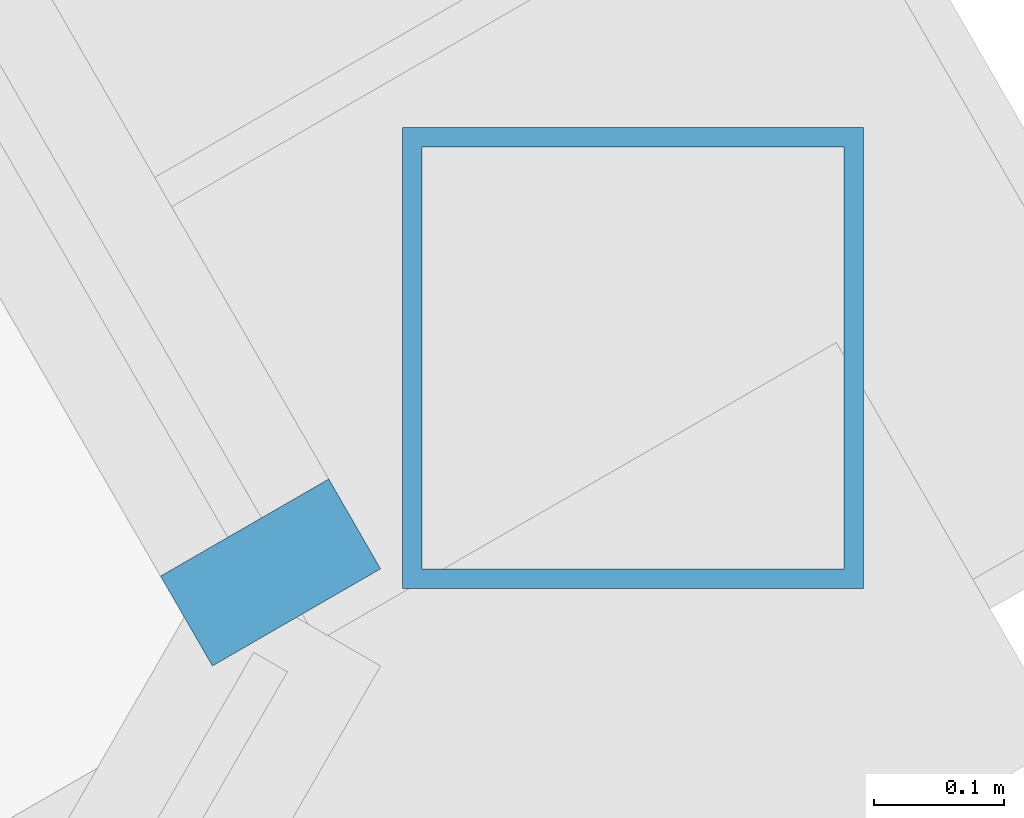
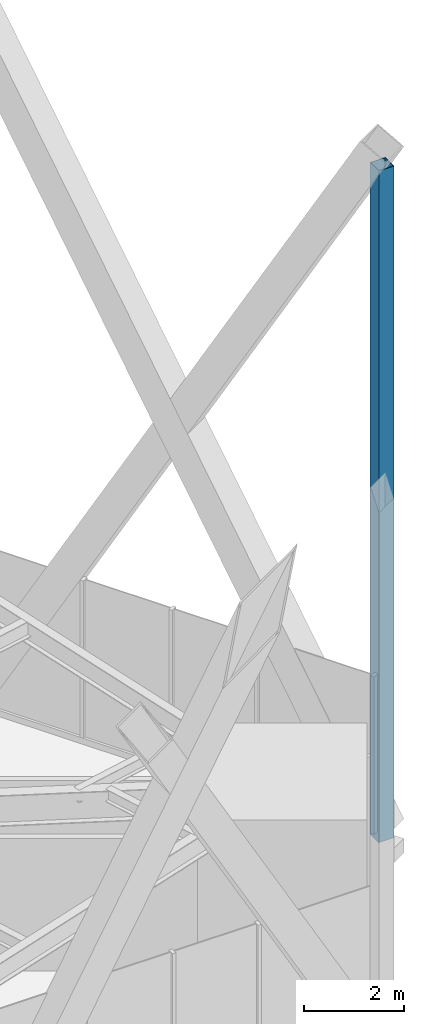
# One storey, part 12 of 21: 2 members, 1 element without a shape of its own.
"""IFC4 building model written with IfcOpenShell, lengths in metres."""

from ifc_helpers import new_model, si_unit, direction, frame, origin, origin_2d, place, context, subcontext, project, spatial, rectangle, hollow_rectangle, extrude, material, layer, layer_set, material_profile, profile_set, type_object, element, aggregate, save


model = new_model("IFC4")

# Units and contexts
model_context = context("Model", 3, precision=1e-05, world=origin(), true_north=direction((0.0, 1.0)))
body_context = subcontext(model_context, "Body", "Model", "MODEL_VIEW")
ifc_project = project(units=[si_unit("LENGTHUNIT", "METRE"), si_unit("AREAUNIT", "SQUARE_METRE"), si_unit("VOLUMEUNIT", "CUBIC_METRE"), si_unit("PLANEANGLEUNIT", "RADIAN"), si_unit("MASSUNIT", "GRAM", prefix="KILO")], contexts=[model_context])

# Site, building, storey
site_placement = place(None, origin())
site = spatial("IfcSite", under=ifc_project, at=site_placement, CompositionType="ELEMENT")
building_placement = place(site_placement, origin())
building = spatial("IfcBuilding", under=site, at=building_placement, Name="Firuza Gate Tower and Library", CompositionType="ELEMENT")
storey_placement = place(building_placement, frame((0.0, 0.0, 90.39990234375)))
storey = spatial("IfcBuildingStorey", under=building, at=storey_placement, Name="L20", CompositionType="ELEMENT", Elevation=90.39990234375)

# Curtain wall, member
ifc_material_1 = material(Name="Aluminium 6063-T6", Category="aluminium")
ifc_layer = layer(ifc_material_1, 0.14990234375)
ifc_layer_set = layer_set([ifc_layer], Name="Unitised curtain wall, offices")
curtain_wall_type = type_object("IfcCurtainWallType", Name="Unitised curtain wall, offices", PredefinedType="NOTDEFINED", material=ifc_layer_set)
curtain_wall_placement = place(storey_placement, origin())
curtain_wall = element("IfcCurtainWall", 1, at=curtain_wall_placement, inside=storey, type_object=curtain_wall_type, Name="CW1 L20 E face", PredefinedType="NOTDEFINED")
ifc_material_2 = material(Name="Aluminium 6063-T6", Category="aluminium")
ifc_material_profile_1 = material_profile(ifc_material_2, rectangle(XDim=0.14990234375, YDim=0.080078125, at=origin_2d()))
ifc_profile_set_1 = profile_set([ifc_material_profile_1], Name="Aluminium 6063-T6")
member_type_1 = type_object("IfcMemberType", Name="Curtain wall mullion 80x150", PredefinedType="MULLION", material=ifc_profile_set_1)
member_1_placement = place(storey_placement, frame((106.876708984375, 60.825927734375, 0.150146484375), z_axis=(0.0, 0.0, 1.0), x_axis=(-0.866025403784, -0.5, 0.0)))
member_1 = element("IfcMember", 2, at=member_1_placement, type_object=member_type_1, Name="Mullion", PredefinedType="MULLION", context=body_context, shape_type="SweptSolid", body=[
    extrude(rectangle(XDim=0.14990234375, YDim=0.080078125, at=origin_2d()), origin(), (0.0, 0.0, 1.0), 3.849853515625),
])
aggregate(curtain_wall, [member_1])

# Member
ifc_material_3 = material(Name="Steel S355", Category="steel")
ifc_material_profile_2 = material_profile(ifc_material_3, hollow_rectangle(XDim=0.355712890625, YDim=0.355712890625, WallThickness=0.014892578125, at=origin_2d()))
ifc_profile_set_2 = profile_set([ifc_material_profile_2], Name="Steel S355")
member_type_2 = type_object("IfcMemberType", Name="HSS356x356x16 Lattice corner stile", PredefinedType="BRACE", material=ifc_profile_set_2)
member_2_placement = place(storey_placement, frame((107.156494140625, 60.991455078125, -0.139892578125), z_axis=(0.0, 0.0, 1.0), x_axis=(1.0, 0.0, 0.0)))
element("IfcMember", 3, at=member_2_placement, inside=storey, type_object=member_type_2, Name="Lattice corner stile E 4.A", PredefinedType="BRACE", context=body_context, shape_type="SweptSolid", body=[
    extrude(hollow_rectangle(XDim=0.355712890625, YDim=0.355712890625, WallThickness=0.014892578125, at=origin_2d()), origin(), (0.0, 0.0, 1.0), 16.43994140625),
])

save(model, "model.ifc")
